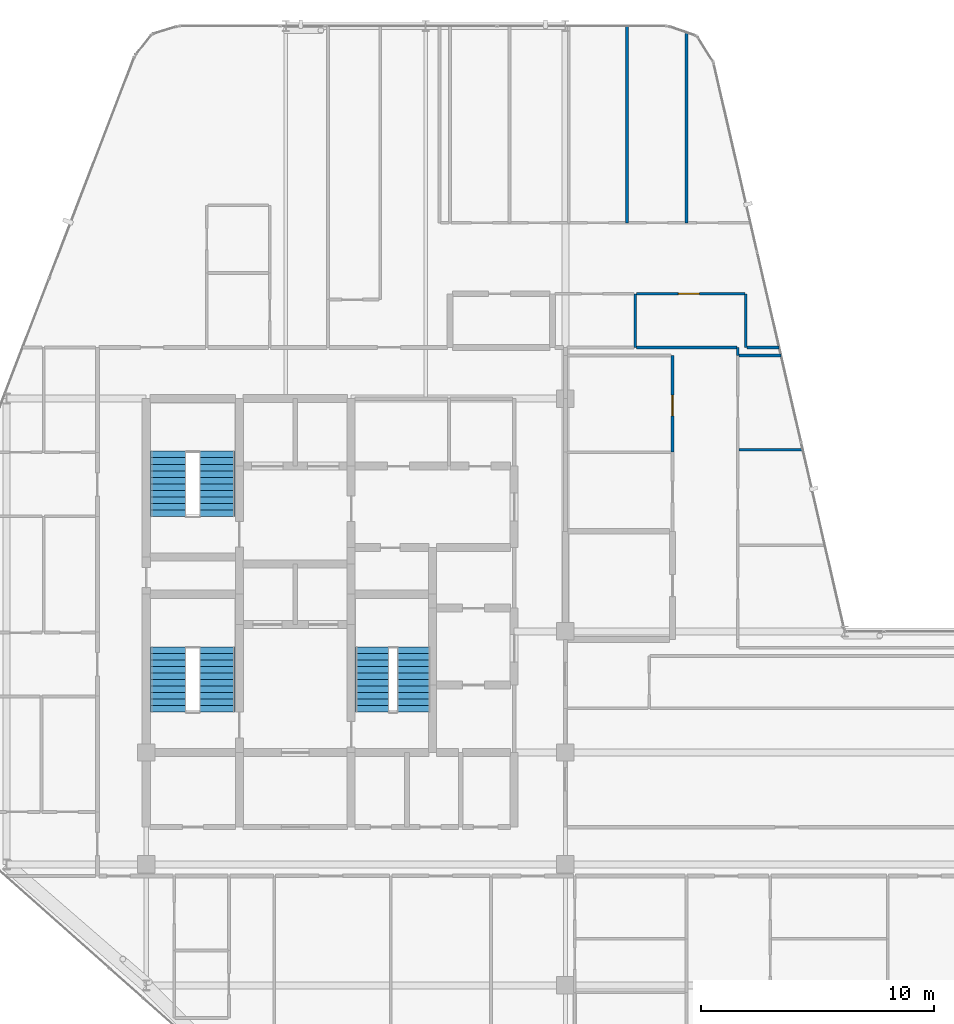
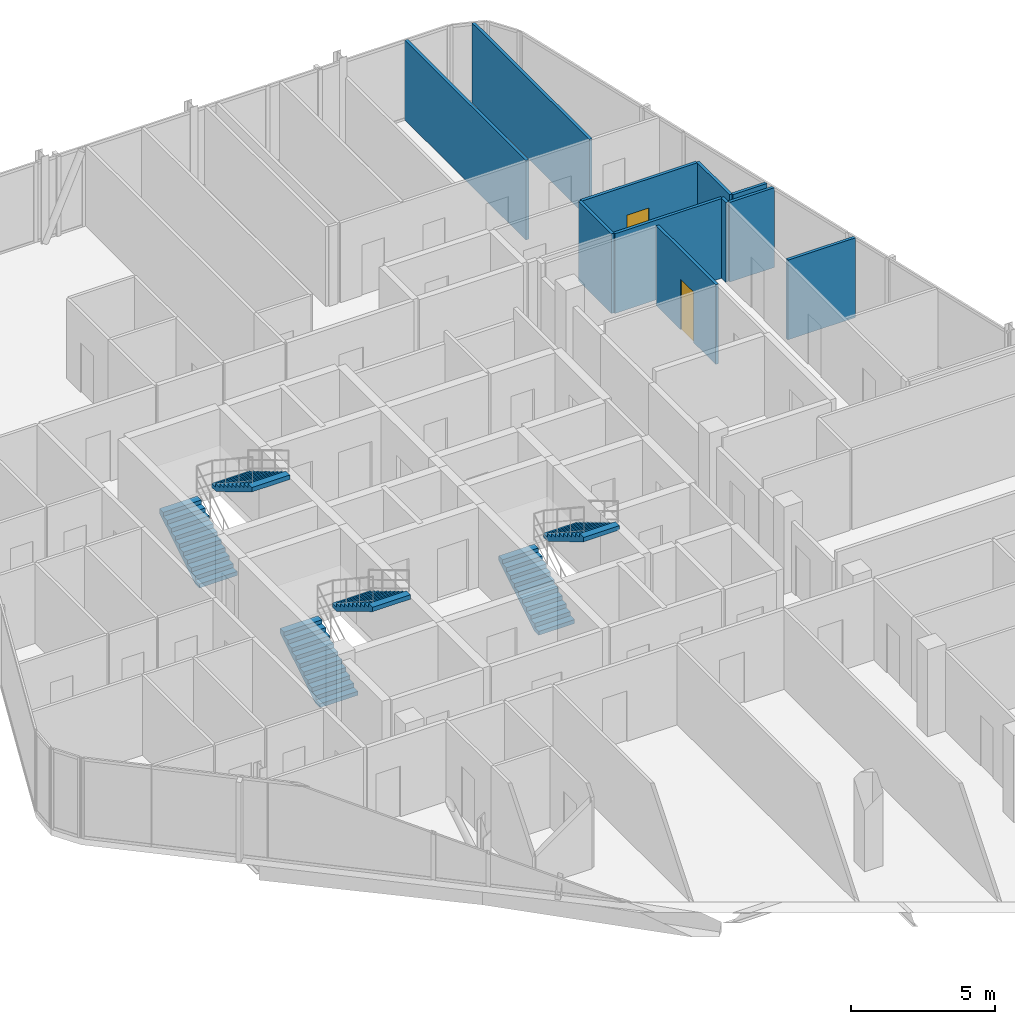
# One storey, part 28 of 29: 11 walls, 6 stair flights, 2 doors, 2 openings, 3 elements without a shape of their own.
"""IFC4 building model written with IfcOpenShell, lengths in metres."""

from ifc_helpers import new_model, si_unit, direction, frame, frame_2d, origin, place, context, subcontext, project, spatial, polyline, rectangle, outline, extrude, material, layer, layer_set, type_object, element, fill, aggregate, save


model = new_model("IFC4")

# Units and contexts
model_context = context("Model", 3, precision=1e-05, world=origin(), true_north=direction((0.0, 1.0)))
body_context = subcontext(model_context, "Body", "Model", "MODEL_VIEW")
ifc_project = project(units=[si_unit("LENGTHUNIT", "METRE"), si_unit("AREAUNIT", "SQUARE_METRE"), si_unit("VOLUMEUNIT", "CUBIC_METRE"), si_unit("PLANEANGLEUNIT", "RADIAN"), si_unit("MASSUNIT", "GRAM", prefix="KILO")], contexts=[model_context])

# Site, building, storey
site_placement = place(None, origin())
site = spatial("IfcSite", under=ifc_project, at=site_placement, CompositionType="ELEMENT")
building_placement = place(site_placement, origin())
building = spatial("IfcBuilding", under=site, at=building_placement, Name="Keshet Zoharim Tower", CompositionType="ELEMENT")
storey_placement = place(building_placement, frame((0.0, 0.0, 226.5)))
storey = spatial("IfcBuildingStorey", under=building, at=storey_placement, Name="L56", CompositionType="ELEMENT", Elevation=226.5)

# Wall
ifc_material_1 = material(Name="Gypsum Plasterboard", Category="gypsum")
ifc_layer_1 = layer(ifc_material_1, 0.1201171875)
ifc_layer_set_1 = layer_set([ifc_layer_1], Name="Gypsum Plasterboard")
wall_type_1 = type_object("IfcWallType", Name="WL-PART-120", PredefinedType="PARTITIONING", material=ifc_layer_set_1)
wall_1_placement = place(storey_placement, frame((35.64990234375, 45.449951171875, 0.0), z_axis=(0.0, 0.0, 1.0), x_axis=(0.0, 1.0, 0.0)))
element("IfcWall", 1, at=wall_1_placement, inside=storey, type_object=wall_type_1, Name="L56 Interior Wall 073", PredefinedType="PARTITIONING", context=body_context, shape_type="SweptSolid", body=[
    extrude(rectangle(XDim=8.43994140625, YDim=0.1201171875, at=frame_2d((4.219970703125, 0.0))), origin(), (0.0, 0.0, 1.0), 3.389892578125),
])

# Wall, opening, door
wall_2_placement = place(storey_placement, frame((37.60009765625, 35.60205078125, 0.0), z_axis=(0.0, 0.0, 1.0), x_axis=(0.0, 1.0, 0.0)))
wall_2 = element("IfcWall", 2, at=wall_2_placement, inside=storey, type_object=wall_type_1, Name="L56 Interior Wall 078", PredefinedType="PARTITIONING", context=body_context, shape_type="SweptSolid", body=[
    extrude(rectangle(XDim=4.14794921875, YDim=0.1201171875, at=frame_2d((2.073974609375, 0.0))), origin(), (0.0, 0.0, 1.0), 3.389892578125),
])
opening_1_placement = place(wall_2_placement, frame((1.552001953125, 0.0, 0.0)))
opening_1 = element("IfcOpeningElement", 3, at=opening_1_placement, cuts=wall_2, Name="Opening D-IN90", PredefinedType="OPENING", context=body_context, shape_type="SweptSolid", body=[
    extrude(rectangle(XDim=0.89990234375, YDim=2.14990234375, at=frame_2d((0.449951171875, 1.074951171875))), frame((0.0, 0.070068359375, 0.0), z_axis=(0.0, -1.0, 0.0), x_axis=(1.0, 0.0, 0.0)), (0.0, 0.0, 1.0), 0.14013671875),
])
ifc_material_2 = material(Name="Hardwood Timber", Category="wood")
door_type = type_object("IfcDoorType", Name="DR-INT-090", OperationType="NOTDEFINED", PredefinedType="DOOR", material=ifc_material_2)
door_1_placement = place(opening_1_placement, origin())
door_1 = element("IfcDoor", 4, at=door_1_placement, inside=storey, type_object=door_type, Name="Apartment 5610 Kitchen Door", OperationType="SINGLE_SWING_LEFT", OverallHeight=2.14990234375, OverallWidth=0.89990234375, PredefinedType="DOOR", context=body_context, shape_type="SweptSolid", body=[
    extrude(rectangle(XDim=0.89990234375, YDim=2.14990234375, at=frame_2d((0.449951171875, 1.074951171875))), frame((0.0, 0.02490234375, 0.0), z_axis=(0.0, -1.0, 0.0), x_axis=(1.0, 0.0, 0.0)), (0.0, 0.0, 1.0), 0.050048828125),
])
fill(opening_1, door_1)

# Walls
wall_3_placement = place(storey_placement, frame((38.199951171875, 45.449951171875, 0.0), z_axis=(0.0, 0.0, 1.0), x_axis=(0.0, 1.0, 0.0)))
element("IfcWall", 5, at=wall_3_placement, inside=storey, type_object=wall_type_1, Name="L56 Interior Wall 082", PredefinedType="PARTITIONING", context=body_context, shape_type="SweptSolid", body=[
    extrude(rectangle(XDim=8.1640625, YDim=0.1201171875, at=frame_2d((4.08203125, 0.0))), origin(), (0.0, 0.0, 1.0), 3.389892578125),
])
wall_4_placement = place(storey_placement, frame((40.39990234375, 39.75, 0.0), z_axis=(0.0, 0.0, 1.0), x_axis=(0.0, 1.0, 0.0)))
element("IfcWall", 6, at=wall_4_placement, inside=storey, type_object=wall_type_1, Name="L56 Interior Wall 085", PredefinedType="PARTITIONING", context=body_context, shape_type="SweptSolid", body=[
    extrude(rectangle(XDim=0.35009765625, YDim=0.1201171875, at=frame_2d((0.175048828125, 0.0))), origin(), (0.0, 0.0, 1.0), 3.389892578125),
])
wall_5_placement = place(storey_placement, frame((40.75, 40.10009765625, 0.0), z_axis=(0.0, 0.0, 1.0), x_axis=(0.0, 1.0, 0.0)))
element("IfcWall", 7, at=wall_5_placement, inside=storey, type_object=wall_type_1, Name="L56 Interior Wall 086", PredefinedType="PARTITIONING", context=body_context, shape_type="SweptSolid", body=[
    extrude(rectangle(XDim=2.2998046875, YDim=0.1201171875, at=frame_2d((1.14990234375, 0.0))), origin(), (0.0, 0.0, 1.0), 3.389892578125),
])
wall_6_placement = place(storey_placement, frame((40.465087890625, 35.699951171875, 0.0), z_axis=(0.0, 0.0, 1.0), x_axis=(1.0, 0.0, 0.0)))
element("IfcWall", 8, at=wall_6_placement, inside=storey, type_object=wall_type_1, Name="L56 Interior Wall 166", PredefinedType="PARTITIONING", context=body_context, shape_type="SweptSolid", body=[
    extrude(rectangle(XDim=2.724853515625, YDim=0.1201171875, at=frame_2d((1.3623046875, 0.0))), origin(), (0.0, 0.0, 1.0), 3.389892578125),
])
wall_7_placement = place(storey_placement, frame((40.465087890625, 39.75, 0.0), z_axis=(0.0, 0.0, 1.0), x_axis=(1.0, 0.0, 0.0)))
element("IfcWall", 9, at=wall_7_placement, inside=storey, type_object=wall_type_1, Name="L56 Interior Wall 172", PredefinedType="PARTITIONING", context=body_context, shape_type="SweptSolid", body=[
    extrude(rectangle(XDim=1.791015625, YDim=0.1201171875, at=frame_2d((0.8955078125, 0.0))), origin(), (0.0, 0.0, 1.0), 3.389892578125),
])
wall_8_placement = place(storey_placement, frame((36.047119140625, 40.10009765625, 0.0), z_axis=(0.0, 0.0, 1.0), x_axis=(1.0, 0.0, 0.0)))
element("IfcWall", 10, at=wall_8_placement, inside=storey, type_object=wall_type_1, Name="L56 Interior Wall 182", PredefinedType="PARTITIONING", context=body_context, shape_type="SweptSolid", body=[
    extrude(rectangle(XDim=4.327880859375, YDim=0.1201171875, at=frame_2d((2.1640625, 0.0))), origin(), (0.0, 0.0, 1.0), 3.389892578125),
])
wall_9_placement = place(storey_placement, frame((40.797119140625, 40.10009765625, 0.0), z_axis=(0.0, 0.0, 1.0), x_axis=(1.0, 0.0, 0.0)))
element("IfcWall", 11, at=wall_9_placement, inside=storey, type_object=wall_type_1, Name="L56 Interior Wall 183", PredefinedType="PARTITIONING", context=body_context, shape_type="SweptSolid", body=[
    extrude(rectangle(XDim=1.3779296875, YDim=0.1201171875, at=frame_2d((0.68896484375, 0.0))), origin(), (0.0, 0.0, 1.0), 3.389892578125),
])

# Wall, opening, door
wall_10_placement = place(storey_placement, frame((36.047119140625, 42.39990234375, 0.0), z_axis=(0.0, 0.0, 1.0), x_axis=(1.0, 0.0, 0.0)))
wall_10 = element("IfcWall", 12, at=wall_10_placement, inside=storey, type_object=wall_type_1, Name="L56 Interior Wall 187", PredefinedType="PARTITIONING", context=body_context, shape_type="SweptSolid", body=[
    extrude(rectangle(XDim=4.659912109375, YDim=0.1201171875, at=frame_2d((2.330078125, 0.0))), origin(), (0.0, 0.0, 1.0), 3.389892578125),
])
opening_2_placement = place(wall_10_placement, frame((1.806884765625, 0.0, 0.0)))
opening_2 = element("IfcOpeningElement", 13, at=opening_2_placement, cuts=wall_10, Name="Opening D-IN90", PredefinedType="OPENING", context=body_context, shape_type="SweptSolid", body=[
    extrude(rectangle(XDim=0.89990234375, YDim=2.14990234375, at=frame_2d((0.449951171875, 1.074951171875))), frame((0.0, 0.070068359375, 0.0), z_axis=(0.0, -1.0, 0.0), x_axis=(1.0, 0.0, 0.0)), (0.0, 0.0, 1.0), 0.14013671875),
])
door_2_placement = place(opening_2_placement, origin())
door_2 = element("IfcDoor", 14, at=door_2_placement, inside=storey, type_object=door_type, Name="Apartment 5606 Kitchen Door", OperationType="SINGLE_SWING_LEFT", OverallHeight=2.14990234375, OverallWidth=0.89990234375, PredefinedType="DOOR", context=body_context, shape_type="SweptSolid", body=[
    extrude(rectangle(XDim=0.89990234375, YDim=2.14990234375, at=frame_2d((0.449951171875, 1.074951171875))), frame((0.0, 0.02490234375, 0.0), z_axis=(0.0, -1.0, 0.0), x_axis=(1.0, 0.0, 0.0)), (0.0, 0.0, 1.0), 0.050048828125),
])
fill(opening_2, door_2)

# Wall
ifc_layer_2 = layer(ifc_material_1, 0.1201171875)
ifc_layer_set_2 = layer_set([ifc_layer_2], Name="Gypsum Plasterboard")
wall_type_2 = type_object("IfcWallType", Name="WL-WET-120", PredefinedType="PARTITIONING", material=ifc_layer_set_2)
wall_11_placement = place(storey_placement, frame((36.0, 40.10009765625, 0.0), z_axis=(0.0, 0.0, 1.0), x_axis=(0.0, 1.0, 0.0)))
element("IfcWall", 15, at=wall_11_placement, inside=storey, type_object=wall_type_2, Name="L56 Interior Wall 074", PredefinedType="PARTITIONING", context=body_context, shape_type="SweptSolid", body=[
    extrude(rectangle(XDim=2.2998046875, YDim=0.1201171875, at=frame_2d((1.14990234375, 0.0))), origin(), (0.0, 0.0, 1.0), 3.389892578125),
])

# Stair, stair flights
ifc_material_3 = material(Name="Concrete C50/60", Category="concrete")
stair_type = type_object("IfcStairType", Name="STR-EXIT-135", PredefinedType="HALF_TURN_STAIR", material=ifc_material_3)
stair_1_placement = place(storey_placement, origin())
stair_1 = element("IfcStair", 16, at=stair_1_placement, inside=storey, type_object=stair_type, Name="L56 Enclosed Exit Stair ST-01", PredefinedType="HALF_TURN_STAIR")
stair_flight_type_1 = type_object("IfcStairFlightType", Name="FLT-PRE-135", PredefinedType="STRAIGHT", material=ifc_material_3)
stair_flight_1_placement = place(storey_placement, frame((15.945068359375, 24.43994140625, 0.0), z_axis=(0.0, 0.0, 1.0), x_axis=(0.0, 1.0, 0.0)))
stair_flight_1 = element("IfcStairFlight", 17, at=stair_flight_1_placement, type_object=stair_flight_type_1, Name="ST-01 flight 1", NumberOfRisers=11, NumberOfTreads=10, PredefinedType="STRAIGHT", RiserHeight=0.168182, TreadLength=0.28, context=body_context, shape_type="SweptSolid", body=[
    extrude(outline(polyline([(0.0, 0.0), (0.0, 0.168212890625), (0.280029296875, 0.168212890625), (0.280029296875, 0.33642578125), (0.56005859375, 0.33642578125), (0.56005859375, 0.504638671875), (0.840087890625, 0.504638671875), (0.840087890625, 0.672607421875), (1.1201171875, 0.672607421875), (1.1201171875, 0.8408203125), (1.39990234375, 0.8408203125), (1.39990234375, 1.009033203125), (1.679931640625, 1.009033203125), (1.679931640625, 1.17724609375), (1.9599609375, 1.17724609375), (1.9599609375, 1.345458984375), (2.239990234375, 1.345458984375), (2.239990234375, 1.513671875), (2.52001953125, 1.513671875), (2.52001953125, 1.681884765625), (2.800048828125, 1.681884765625), (2.800048828125, 1.85009765625), (2.800048828125, 1.495361328125), (0.310546875, 0.0), (0.0, 0.0)])), frame((0.0, 0.76513671875, 0.0), z_axis=(0.0, -1.0, 0.0), x_axis=(1.0, 0.0, 0.0)), (0.0, 0.0, 1.0), 1.530029296875),
])
stair_flight_2_placement = place(storey_placement, frame((18.054931640625, 27.239990234375, 1.85009765625), z_axis=(0.0, 0.0, 1.0), x_axis=(0.0, -1.0, 0.0)))
stair_flight_2 = element("IfcStairFlight", 18, at=stair_flight_2_placement, type_object=stair_flight_type_1, Name="ST-01 flight 2", NumberOfRisers=11, NumberOfTreads=10, PredefinedType="STRAIGHT", RiserHeight=0.168182, TreadLength=0.28, context=body_context, shape_type="SweptSolid", body=[
    extrude(outline(polyline([(0.0, 0.0), (0.0, 0.168212890625), (0.280029296875, 0.168212890625), (0.280029296875, 0.33642578125), (0.56005859375, 0.33642578125), (0.56005859375, 0.504638671875), (0.840087890625, 0.504638671875), (0.840087890625, 0.672607421875), (1.1201171875, 0.672607421875), (1.1201171875, 0.8408203125), (1.39990234375, 0.8408203125), (1.39990234375, 1.009033203125), (1.679931640625, 1.009033203125), (1.679931640625, 1.17724609375), (1.9599609375, 1.17724609375), (1.9599609375, 1.345458984375), (2.239990234375, 1.345458984375), (2.239990234375, 1.513671875), (2.52001953125, 1.513671875), (2.52001953125, 1.681884765625), (2.800048828125, 1.681884765625), (2.800048828125, 1.85009765625), (2.800048828125, 1.495361328125), (0.310546875, 0.0), (0.0, 0.0)])), frame((0.0, 0.76513671875, 0.0), z_axis=(0.0, -1.0, 0.0), x_axis=(1.0, 0.0, 0.0)), (0.0, 0.0, 1.0), 1.530029296875),
])
aggregate(stair_1, [stair_flight_1, stair_flight_2])

stair_2_placement = place(storey_placement, origin())
stair_2 = element("IfcStair", 19, at=stair_2_placement, inside=storey, type_object=stair_type, Name="L56 Enclosed Exit Stair ST-02", PredefinedType="HALF_TURN_STAIR")
stair_flight_3_placement = place(storey_placement, frame((15.945068359375, 32.840087890625, 0.0), z_axis=(0.0, 0.0, 1.0), x_axis=(0.0, 1.0, 0.0)))
stair_flight_3 = element("IfcStairFlight", 20, at=stair_flight_3_placement, type_object=stair_flight_type_1, Name="ST-02 flight 1", NumberOfRisers=11, NumberOfTreads=10, PredefinedType="STRAIGHT", RiserHeight=0.168182, TreadLength=0.28, context=body_context, shape_type="SweptSolid", body=[
    extrude(outline(polyline([(0.0, 0.0), (0.0, 0.168212890625), (0.280029296875, 0.168212890625), (0.280029296875, 0.33642578125), (0.56005859375, 0.33642578125), (0.56005859375, 0.504638671875), (0.840087890625, 0.504638671875), (0.840087890625, 0.672607421875), (1.1201171875, 0.672607421875), (1.1201171875, 0.8408203125), (1.39990234375, 0.8408203125), (1.39990234375, 1.009033203125), (1.679931640625, 1.009033203125), (1.679931640625, 1.17724609375), (1.9599609375, 1.17724609375), (1.9599609375, 1.345458984375), (2.239990234375, 1.345458984375), (2.239990234375, 1.513671875), (2.52001953125, 1.513671875), (2.52001953125, 1.681884765625), (2.800048828125, 1.681884765625), (2.800048828125, 1.85009765625), (2.800048828125, 1.495361328125), (0.310546875, 0.0), (0.0, 0.0)])), frame((0.0, 0.76513671875, 0.0), z_axis=(0.0, -1.0, 0.0), x_axis=(1.0, 0.0, 0.0)), (0.0, 0.0, 1.0), 1.530029296875),
])
stair_flight_4_placement = place(storey_placement, frame((18.054931640625, 35.639892578125, 1.85009765625), z_axis=(0.0, 0.0, 1.0), x_axis=(0.0, -1.0, 0.0)))
stair_flight_4 = element("IfcStairFlight", 21, at=stair_flight_4_placement, type_object=stair_flight_type_1, Name="ST-02 flight 2", NumberOfRisers=11, NumberOfTreads=10, PredefinedType="STRAIGHT", RiserHeight=0.168182, TreadLength=0.28, context=body_context, shape_type="SweptSolid", body=[
    extrude(outline(polyline([(0.0, 0.0), (0.0, 0.168212890625), (0.280029296875, 0.168212890625), (0.280029296875, 0.33642578125), (0.56005859375, 0.33642578125), (0.56005859375, 0.504638671875), (0.840087890625, 0.504638671875), (0.840087890625, 0.672607421875), (1.1201171875, 0.672607421875), (1.1201171875, 0.8408203125), (1.39990234375, 0.8408203125), (1.39990234375, 1.009033203125), (1.679931640625, 1.009033203125), (1.679931640625, 1.17724609375), (1.9599609375, 1.17724609375), (1.9599609375, 1.345458984375), (2.239990234375, 1.345458984375), (2.239990234375, 1.513671875), (2.52001953125, 1.513671875), (2.52001953125, 1.681884765625), (2.800048828125, 1.681884765625), (2.800048828125, 1.85009765625), (2.800048828125, 1.495361328125), (0.310546875, 0.0), (0.0, 0.0)])), frame((0.0, 0.76513671875, 0.0), z_axis=(0.0, -1.0, 0.0), x_axis=(1.0, 0.0, 0.0)), (0.0, 0.0, 1.0), 1.530029296875),
])
aggregate(stair_2, [stair_flight_3, stair_flight_4])

stair_3_placement = place(storey_placement, origin())
stair_3 = element("IfcStair", 22, at=stair_3_placement, inside=storey, type_object=stair_type, Name="L56 Enclosed Exit Stair ST-03", PredefinedType="HALF_TURN_STAIR")
stair_flight_type_2 = type_object("IfcStairFlightType", Name="FLT-PRE-144", PredefinedType="STRAIGHT", material=ifc_material_3)
stair_flight_5_placement = place(storey_placement, frame((24.699951171875, 24.43994140625, 0.0), z_axis=(0.0, 0.0, 1.0), x_axis=(0.0, 1.0, 0.0)))
stair_flight_5 = element("IfcStairFlight", 23, at=stair_flight_5_placement, type_object=stair_flight_type_2, Name="ST-03 flight 1", NumberOfRisers=11, NumberOfTreads=10, PredefinedType="STRAIGHT", RiserHeight=0.168182, TreadLength=0.28, context=body_context, shape_type="SweptSolid", body=[
    extrude(outline(polyline([(0.0, 0.0), (0.0, 0.168212890625), (0.280029296875, 0.168212890625), (0.280029296875, 0.33642578125), (0.56005859375, 0.33642578125), (0.56005859375, 0.504638671875), (0.840087890625, 0.504638671875), (0.840087890625, 0.672607421875), (1.1201171875, 0.672607421875), (1.1201171875, 0.8408203125), (1.39990234375, 0.8408203125), (1.39990234375, 1.009033203125), (1.679931640625, 1.009033203125), (1.679931640625, 1.17724609375), (1.9599609375, 1.17724609375), (1.9599609375, 1.345458984375), (2.239990234375, 1.345458984375), (2.239990234375, 1.513671875), (2.52001953125, 1.513671875), (2.52001953125, 1.681884765625), (2.800048828125, 1.681884765625), (2.800048828125, 1.85009765625), (2.800048828125, 1.495361328125), (0.310546875, 0.0), (0.0, 0.0)])), frame((0.0, 0.719970703125, 0.0), z_axis=(0.0, -1.0, 0.0), x_axis=(1.0, 0.0, 0.0)), (0.0, 0.0, 1.0), 1.43994140625),
])
stair_flight_6_placement = place(storey_placement, frame((26.5, 27.239990234375, 1.85009765625), z_axis=(0.0, 0.0, 1.0), x_axis=(0.0, -1.0, 0.0)))
stair_flight_6 = element("IfcStairFlight", 24, at=stair_flight_6_placement, type_object=stair_flight_type_2, Name="ST-03 flight 2", NumberOfRisers=11, NumberOfTreads=10, PredefinedType="STRAIGHT", RiserHeight=0.168182, TreadLength=0.28, context=body_context, shape_type="SweptSolid", body=[
    extrude(outline(polyline([(0.0, 0.0), (0.0, 0.168212890625), (0.280029296875, 0.168212890625), (0.280029296875, 0.33642578125), (0.56005859375, 0.33642578125), (0.56005859375, 0.504638671875), (0.840087890625, 0.504638671875), (0.840087890625, 0.672607421875), (1.1201171875, 0.672607421875), (1.1201171875, 0.8408203125), (1.39990234375, 0.8408203125), (1.39990234375, 1.009033203125), (1.679931640625, 1.009033203125), (1.679931640625, 1.17724609375), (1.9599609375, 1.17724609375), (1.9599609375, 1.345458984375), (2.239990234375, 1.345458984375), (2.239990234375, 1.513671875), (2.52001953125, 1.513671875), (2.52001953125, 1.681884765625), (2.800048828125, 1.681884765625), (2.800048828125, 1.85009765625), (2.800048828125, 1.495361328125), (0.310546875, 0.0), (0.0, 0.0)])), frame((0.0, 0.719970703125, 0.0), z_axis=(0.0, -1.0, 0.0), x_axis=(1.0, 0.0, 0.0)), (0.0, 0.0, 1.0), 1.43994140625),
])
aggregate(stair_3, [stair_flight_5, stair_flight_6])

save(model, "model.ifc")
